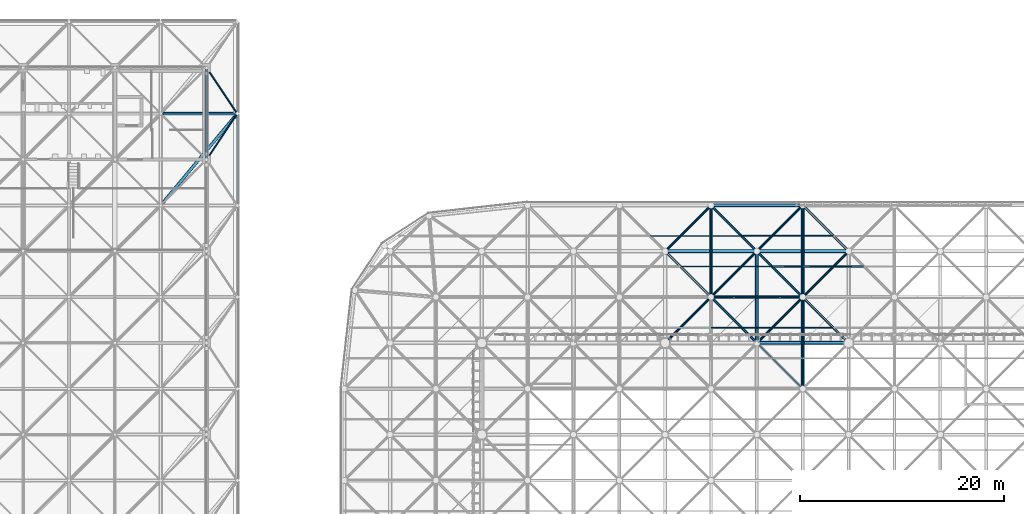
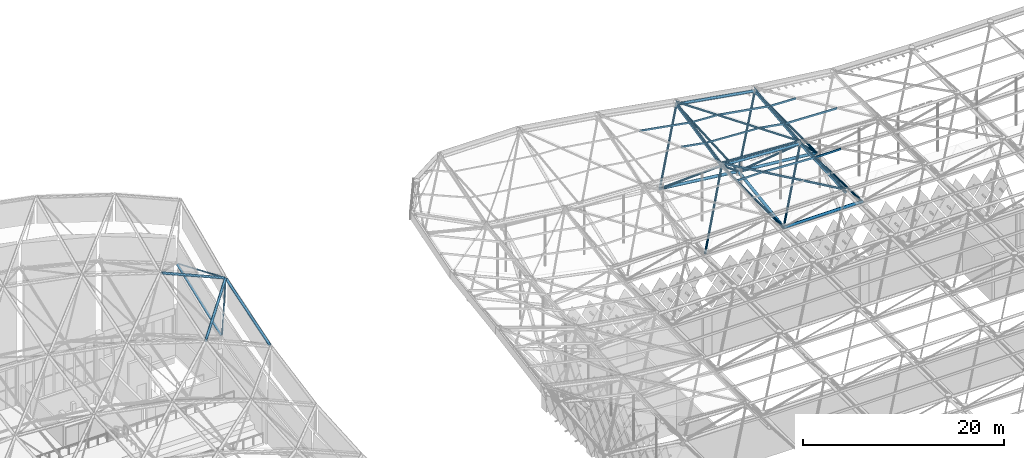
# One storey, part 148 of 437: 44 members.
"""IFC4 building model written with IfcOpenShell, lengths in metres."""

from ifc_helpers import new_model, si_unit, direction, frame, origin, origin_2d, place, context, subcontext, project, spatial, polyline, hollow_circle, outline, extrude, material, material_profile, profile_set, type_object, element, save


model = new_model("IFC4")

# Units and contexts
model_context = context("Model", 3, precision=1e-05, world=origin(), true_north=direction((0.0, 1.0)))
body_context = subcontext(model_context, "Body", "Model", "MODEL_VIEW")
ifc_project = project(units=[si_unit("LENGTHUNIT", "METRE"), si_unit("AREAUNIT", "SQUARE_METRE"), si_unit("VOLUMEUNIT", "CUBIC_METRE"), si_unit("PLANEANGLEUNIT", "RADIAN"), si_unit("MASSUNIT", "GRAM", prefix="KILO")], contexts=[model_context])

# Site, building, storey
site_placement = place(None, origin())
site = spatial("IfcSite", under=ifc_project, at=site_placement, CompositionType="ELEMENT")
building_placement = place(site_placement, origin())
building = spatial("IfcBuilding", under=site, at=building_placement, Name="Opaline Strait Convention Centre", CompositionType="ELEMENT")
storey_placement = place(building_placement, frame((0.0, 0.0, 11.5)))
storey = spatial("IfcBuildingStorey", under=building, at=storey_placement, Name="L02", CompositionType="ELEMENT", Elevation=11.5)

# Members
ifc_material = material(Name="Steel Q355B", Category="steel")
ifc_material_profile_1 = material_profile(ifc_material, outline(polyline([(-0.03759765625, -0.125), (0.03759765625, -0.125), (0.03759765625, -0.10498046875), (0.034912109375, -0.10498046875), (0.034912109375, -0.12255859375), (-0.034912109375, -0.12255859375), (-0.034912109375, 0.12255859375), (0.034912109375, 0.12255859375), (0.034912109375, 0.10498046875), (0.03759765625, 0.10498046875), (0.03759765625, 0.125), (-0.03759765625, 0.125), (-0.03759765625, -0.125)])), Name="C 250x75x20x2.5")
ifc_profile_set_1 = profile_set([ifc_material_profile_1], Name="Steel Q355B")
member_type_1 = type_object("IfcMemberType", Name="Roof purlin C 250x75x20x2.5", PredefinedType="PURLIN", material=ifc_profile_set_1)
member_1_placement = place(storey_placement, frame((130.5, 148.5, 18.254638671875), z_axis=(-0.705385748856, 0.705385748856, 0.069727258812), x_axis=(-0.706758384602, -0.707423051329, 0.006724004996)))
element("IfcMember", 1, at=member_1_placement, inside=storey, type_object=member_type_1, Name="EXB-RF-F-4-12", PredefinedType="PURLIN", context=body_context, shape_type="SweptSolid", body=[
    extrude(outline(polyline([(-0.03759765625, -0.125), (0.03759765625, -0.125), (0.03759765625, -0.10498046875), (0.034912109375, -0.10498046875), (0.034912109375, -0.12255859375), (-0.034912109375, -0.12255859375), (-0.034912109375, 0.12255859375), (0.034912109375, 0.12255859375), (0.034912109375, 0.10498046875), (0.03759765625, 0.10498046875), (0.03759765625, 0.125), (-0.03759765625, 0.125), (-0.03759765625, -0.125)])), origin(), (0.0, 0.0, 1.0), 12.759033203125),
])
member_2_placement = place(storey_placement, frame((130.45361328125, 148.449951171875, 18.257568359375), z_axis=(0.0, 0.999005016003, 0.044597959613), x_axis=(-0.998536953469, -0.002411571545, 0.054019782307)))
element("IfcMember", 2, at=member_2_placement, inside=storey, type_object=member_type_1, Name="EXB-RF-E-4-12a", PredefinedType="PURLIN", context=body_context, shape_type="SweptSolid", body=[
    extrude(outline(polyline([(-0.03759765625, -0.125), (0.03759765625, -0.125), (0.03759765625, -0.10498046875), (0.034912109375, -0.10498046875), (0.034912109375, -0.12255859375), (-0.034912109375, -0.12255859375), (-0.034912109375, 0.12255859375), (0.034912109375, 0.12255859375), (0.034912109375, 0.10498046875), (0.03759765625, 0.10498046875), (0.03759765625, 0.125), (-0.03759765625, 0.125), (-0.03759765625, -0.125)])), origin(), (0.0, 0.0, 1.0), 9.109130859375),
])
member_3_placement = place(storey_placement, frame((124.550048828125, 154.5, 18.84765625), z_axis=(0.998534214741, 0.0, -0.054124135023), x_axis=(0.002414276433, 0.999004644434, 0.044540898827)))
element("IfcMember", 3, at=member_3_placement, inside=storey, type_object=member_type_1, Name="EXB-RF-P-4-12-1a", PredefinedType="PURLIN", context=body_context, shape_type="SweptSolid", body=[
    extrude(outline(polyline([(-0.03759765625, -0.125), (0.03759765625, -0.125), (0.03759765625, -0.10498046875), (0.034912109375, -0.10498046875), (0.034912109375, -0.12255859375), (-0.034912109375, -0.12255859375), (-0.034912109375, 0.12255859375), (0.034912109375, 0.12255859375), (0.034912109375, 0.10498046875), (0.03759765625, 0.10498046875), (0.03759765625, 0.125), (-0.03759765625, 0.125), (-0.03759765625, -0.125)])), origin(), (0.0, 0.0, 1.0), 5.87744140625),
])
for number, where, z_axis, x_axis, name in (
    (4, (121.5, 154.5, 18.850341796875), (1.0, 0.0, 0.0), (0.0, 0.995149078082, 0.098378414266), "EXB-RF-P-4-12-1b"),
    (5, (130.5, 154.5, 18.52490234375), (1.0, 0.0, 0.0), (0.0, 0.999004644434, 0.044606282058), "EXB-RF-P-5-12-1b"),
):
    element("IfcMember", number, at=place(storey_placement, frame(where, z_axis=z_axis, x_axis=x_axis)), inside=storey, type_object=member_type_1, Name=name, PredefinedType="PURLIN", context=body_context, shape_type="SweptSolid", body=[
        extrude(outline(polyline([(-0.03759765625, -0.125), (0.03759765625, -0.125), (0.03759765625, -0.10498046875), (0.034912109375, -0.10498046875), (0.034912109375, -0.12255859375), (-0.034912109375, -0.12255859375), (-0.034912109375, 0.12255859375), (0.034912109375, 0.12255859375), (0.034912109375, 0.10498046875), (0.03759765625, 0.10498046875), (0.03759765625, 0.125), (-0.03759765625, 0.125), (-0.03759765625, -0.125)])), origin(), (0.0, 0.0, 1.0), 2.949951171875),
    ])
member_4_placement = place(storey_placement, frame((121.439697265625, 157.449951171875, 19.149169921875), z_axis=(0.0, 0.976700958406, 0.214604841159), x_axis=(-0.985529741381, -0.036376076933, 0.165553344517)))
element("IfcMember", 6, at=member_4_placement, inside=storey, type_object=member_type_1, Name="EXB-RF-E-3-13a", PredefinedType="PURLIN", context=body_context, shape_type="SweptSolid", body=[
    extrude(outline(polyline([(-0.03759765625, -0.125), (0.03759765625, -0.125), (0.03759765625, -0.10498046875), (0.034912109375, -0.10498046875), (0.034912109375, -0.12255859375), (-0.034912109375, -0.12255859375), (-0.034912109375, 0.12255859375), (0.034912109375, 0.12255859375), (0.034912109375, 0.10498046875), (0.03759765625, 0.10498046875), (0.03759765625, 0.125), (-0.03759765625, 0.125), (-0.03759765625, -0.125)])), origin(), (0.0, 0.0, 1.0), 9.317138671875),
])
member_5_placement = place(storey_placement, frame((118.550048828125, 160.5, 20.328125), z_axis=(0.984838613321, 0.0, -0.173473069127), x_axis=(0.037227435225, 0.976701876974, 0.211347016969)))
element("IfcMember", 7, at=member_5_placement, inside=storey, type_object=member_type_1, Name="EXB-RF-P-3-13-0a", PredefinedType="PURLIN", context=body_context, shape_type="SweptSolid", body=[
    extrude(outline(polyline([(-0.03759765625, -0.125), (0.03759765625, -0.125), (0.03759765625, -0.10498046875), (0.034912109375, -0.10498046875), (0.034912109375, -0.12255859375), (-0.034912109375, -0.12255859375), (-0.034912109375, 0.12255859375), (0.034912109375, 0.12255859375), (0.034912109375, 0.10498046875), (0.03759765625, 0.10498046875), (0.03759765625, 0.125), (-0.03759765625, 0.125), (-0.03759765625, -0.125)])), origin(), (0.0, 0.0, 1.0), 2.899169921875),
])
member_6_placement = place(storey_placement, frame((115.550048828125, 163.5, 21.515625), z_axis=(0.984841792486, 0.0, -0.17345501945), x_axis=(0.037223561752, 0.976701876974, 0.21134769922)))
element("IfcMember", 8, at=member_6_placement, inside=storey, type_object=member_type_1, Name="EXB-RF-P-3-13-1a", PredefinedType="PURLIN", context=body_context, shape_type="SweptSolid", body=[
    extrude(outline(polyline([(-0.03759765625, -0.125), (0.03759765625, -0.125), (0.03759765625, -0.10498046875), (0.034912109375, -0.10498046875), (0.034912109375, -0.12255859375), (-0.034912109375, -0.12255859375), (-0.034912109375, 0.12255859375), (0.034912109375, 0.12255859375), (0.034912109375, 0.10498046875), (0.03759765625, 0.10498046875), (0.03759765625, 0.125), (-0.03759765625, 0.125), (-0.03759765625, -0.125)])), origin(), (0.0, 0.0, 1.0), 5.9453125),
])
member_7_placement = place(storey_placement, frame((130.5, 157.5, 18.656494140625), z_axis=(-0.694204223982, 0.694204223982, 0.190160434401), x_axis=(-0.717833830455, -0.687135763969, -0.112067094763)))
element("IfcMember", 9, at=member_7_placement, inside=storey, type_object=member_type_1, Name="EXB-RF-F-4-13", PredefinedType="PURLIN", context=body_context, shape_type="SweptSolid", body=[
    extrude(outline(polyline([(-0.03759765625, -0.125), (0.03759765625, -0.125), (0.03759765625, -0.10498046875), (0.034912109375, -0.10498046875), (0.034912109375, -0.12255859375), (-0.034912109375, -0.12255859375), (-0.034912109375, 0.12255859375), (0.034912109375, 0.12255859375), (0.034912109375, 0.10498046875), (0.03759765625, 0.10498046875), (0.03759765625, 0.125), (-0.03759765625, 0.125), (-0.03759765625, -0.125)])), origin(), (0.0, 0.0, 1.0), 12.964599609375),
])
member_8_placement = place(storey_placement, frame((130.43994140625, 157.449951171875, 18.665771484375), z_axis=(0.0, 0.994612105595, 0.10366657805), x_axis=(-0.986051866452, -0.017254091808, 0.165541574785)))
element("IfcMember", 10, at=member_8_placement, inside=storey, type_object=member_type_1, Name="EXB-RF-E-4-13a", PredefinedType="PURLIN", context=body_context, shape_type="SweptSolid", body=[
    extrude(outline(polyline([(-0.03759765625, -0.125), (0.03759765625, -0.125), (0.03759765625, -0.10498046875), (0.034912109375, -0.10498046875), (0.034912109375, -0.12255859375), (-0.034912109375, -0.12255859375), (-0.034912109375, 0.12255859375), (0.034912109375, 0.12255859375), (0.034912109375, 0.10498046875), (0.03759765625, 0.10498046875), (0.03759765625, 0.125), (-0.03759765625, 0.125), (-0.03759765625, -0.125)])), origin(), (0.0, 0.0, 1.0), 9.1494140625),
])
member_9_placement = place(storey_placement, frame((127.550048828125, 160.5, 19.47412109375), z_axis=(0.985902048342, 0.0, -0.167323492301), x_axis=(0.017344553021, 0.994612915883, 0.10219742677)))
element("IfcMember", 11, at=member_9_placement, inside=storey, type_object=member_type_1, Name="EXB-RF-P-4-13-0a", PredefinedType="PURLIN", context=body_context, shape_type="SweptSolid", body=[
    extrude(outline(polyline([(-0.03759765625, -0.125), (0.03759765625, -0.125), (0.03759765625, -0.10498046875), (0.034912109375, -0.10498046875), (0.034912109375, -0.12255859375), (-0.034912109375, -0.12255859375), (-0.034912109375, 0.12255859375), (0.034912109375, 0.12255859375), (0.034912109375, 0.10498046875), (0.03759765625, 0.10498046875), (0.03759765625, 0.125), (-0.03759765625, 0.125), (-0.03759765625, -0.125)])), origin(), (0.0, 0.0, 1.0), 2.896240234375),
])
member_10_placement = place(storey_placement, frame((124.550048828125, 163.5, 20.2958984375), z_axis=(0.985905248574, 0.0, -0.167304634827), x_axis=(0.017342598278, 0.994612915883, 0.102197758502)))
element("IfcMember", 12, at=member_10_placement, inside=storey, type_object=member_type_1, Name="EXB-RF-P-4-13-1a", PredefinedType="PURLIN", context=body_context, shape_type="SweptSolid", body=[
    extrude(outline(polyline([(-0.03759765625, -0.125), (0.03759765625, -0.125), (0.03759765625, -0.10498046875), (0.034912109375, -0.10498046875), (0.034912109375, -0.12255859375), (-0.034912109375, -0.12255859375), (-0.034912109375, 0.12255859375), (0.034912109375, 0.12255859375), (0.034912109375, 0.10498046875), (0.03759765625, 0.10498046875), (0.03759765625, 0.125), (-0.03759765625, 0.125), (-0.03759765625, -0.125)])), origin(), (0.0, 0.0, 1.0), 5.939208984375),
])
member_11_placement = place(storey_placement, frame((130.550048828125, 157.565673828125, 18.671630859375), z_axis=(-0.998533323421, 0.0, 0.054140576451), x_axis=(-0.011602359597, -0.976767751484, -0.213986319453)))
element("IfcMember", 13, at=member_11_placement, inside=storey, type_object=member_type_1, Name="EXB-RF-E-4-13b", PredefinedType="PURLIN", context=body_context, shape_type="SweptSolid", body=[
    extrude(outline(polyline([(-0.03759765625, -0.125), (0.03759765625, -0.125), (0.03759765625, -0.10498046875), (0.034912109375, -0.10498046875), (0.034912109375, -0.12255859375), (-0.034912109375, -0.12255859375), (-0.034912109375, 0.12255859375), (0.034912109375, 0.12255859375), (0.034912109375, 0.10498046875), (0.03759765625, 0.10498046875), (0.03759765625, 0.125), (-0.03759765625, 0.125), (-0.03759765625, -0.125)])), origin(), (0.0, 0.0, 1.0), 9.113525390625),
])
member_12_placement = place(storey_placement, frame((121.5, 160.5, 19.806884765625), z_axis=(0.998534204977, 0.0, -0.05412431516), x_axis=(0.011615113786, 0.976701876974, 0.214286099985)))
element("IfcMember", 14, at=member_12_placement, inside=storey, type_object=member_type_1, Name="EXB-RF-P-4-13-0b", PredefinedType="PURLIN", context=body_context, shape_type="SweptSolid", body=[
    extrude(outline(polyline([(-0.03759765625, -0.125), (0.03759765625, -0.125), (0.03759765625, -0.10498046875), (0.034912109375, -0.10498046875), (0.034912109375, -0.12255859375), (-0.034912109375, -0.12255859375), (-0.034912109375, 0.12255859375), (0.034912109375, 0.12255859375), (0.034912109375, 0.10498046875), (0.03759765625, 0.10498046875), (0.03759765625, 0.125), (-0.03759765625, 0.125), (-0.03759765625, -0.125)])), origin(), (0.0, 0.0, 1.0), 5.958740234375),
])
member_13_placement = place(storey_placement, frame((121.5, 163.5, 20.466064453125), z_axis=(0.998533955365, 0.0, -0.054128920033), x_axis=(0.011616101995, 0.976701876974, 0.214286046418)))
element("IfcMember", 15, at=member_13_placement, inside=storey, type_object=member_type_1, Name="EXB-RF-P-4-13-1b", PredefinedType="PURLIN", context=body_context, shape_type="SweptSolid", body=[
    extrude(outline(polyline([(-0.03759765625, -0.125), (0.03759765625, -0.125), (0.03759765625, -0.10498046875), (0.034912109375, -0.10498046875), (0.034912109375, -0.12255859375), (-0.034912109375, -0.12255859375), (-0.034912109375, 0.12255859375), (0.034912109375, 0.12255859375), (0.034912109375, 0.10498046875), (0.03759765625, 0.10498046875), (0.03759765625, 0.125), (-0.03759765625, 0.125), (-0.03759765625, -0.125)])), origin(), (0.0, 0.0, 1.0), 2.954345703125),
])
member_14_placement = place(storey_placement, frame((130.5, 160.5, 18.971923828125), z_axis=(0.999302080681, 0.0, -0.037354404641), x_axis=(0.003872112893, 0.994612915883, 0.10358645809)))
element("IfcMember", 16, at=member_14_placement, inside=storey, type_object=member_type_1, Name="EXB-RF-P-5-13-0b", PredefinedType="PURLIN", context=body_context, shape_type="SweptSolid", body=[
    extrude(outline(polyline([(-0.03759765625, -0.125), (0.03759765625, -0.125), (0.03759765625, -0.10498046875), (0.034912109375, -0.10498046875), (0.034912109375, -0.12255859375), (-0.034912109375, -0.12255859375), (-0.034912109375, 0.12255859375), (0.034912109375, 0.12255859375), (0.034912109375, 0.10498046875), (0.03759765625, 0.10498046875), (0.03759765625, 0.125), (-0.03759765625, 0.125), (-0.03759765625, -0.125)])), origin(), (0.0, 0.0, 1.0), 5.9541015625),
])
member_15_placement = place(storey_placement, frame((130.5, 163.5, 19.284423828125), z_axis=(0.999304142932, 0.0, -0.037299194609), x_axis=(0.003866389887, 0.994612915883, 0.10358667186)))
element("IfcMember", 17, at=member_15_placement, inside=storey, type_object=member_type_1, Name="EXB-RF-P-5-13-1b", PredefinedType="PURLIN", context=body_context, shape_type="SweptSolid", body=[
    extrude(outline(polyline([(-0.03759765625, -0.125), (0.03759765625, -0.125), (0.03759765625, -0.10498046875), (0.034912109375, -0.10498046875), (0.034912109375, -0.12255859375), (-0.034912109375, -0.12255859375), (-0.034912109375, 0.12255859375), (0.034912109375, 0.12255859375), (0.034912109375, 0.10498046875), (0.03759765625, 0.10498046875), (0.03759765625, 0.125), (-0.03759765625, 0.125), (-0.03759765625, -0.125)])), origin(), (0.0, 0.0, 1.0), 2.951904296875),
])
ifc_material_profile_2 = material_profile(ifc_material, hollow_circle(Radius=0.136474609375, WallThickness=0.011962890625, at=origin_2d()), Name="CHS 273x12")
ifc_profile_set_2 = profile_set([ifc_material_profile_2], Name="Steel Q355B")
member_type_2 = type_object("IfcMemberType", Name="Shell truss bottom chord CHS 273x12", PredefinedType="CHORD", material=ifc_profile_set_2)
member_16_placement = place(storey_placement, frame((72.0, 171.14990234375, 7.323486328125), z_axis=(0.0, 0.934484411572, 0.356004051282), x_axis=(-1.0, 0.0, 0.0)))
element("IfcMember", 18, at=member_16_placement, inside=storey, type_object=member_type_2, Name="PBC1 bottom chord Y8-7", PredefinedType="CHORD", context=body_context, shape_type="SweptSolid", body=[
    extrude(hollow_circle(Radius=0.136474609375, WallThickness=0.011962890625, at=origin_2d()), origin(), (0.0, 0.0, 1.0), 9.31005859375),
])
ifc_material_profile_3 = material_profile(ifc_material, hollow_circle(Radius=0.1494140625, WallThickness=0.01611328125, at=origin_2d()), Name="CHS 299x16")
ifc_profile_set_3 = profile_set([ifc_material_profile_3], Name="Steel Q355B")
member_type_3 = type_object("IfcMemberType", Name="Shell truss top chord CHS 299x16", PredefinedType="CHORD", material=ifc_profile_set_3)
member_17_placement = place(storey_placement, frame((67.64990234375, 175.5, 13.77978515625), z_axis=(0.917383800951, 0.0, -0.398003720777), x_axis=(0.0, 1.0, 0.0)))
element("IfcMember", 19, at=member_17_placement, inside=storey, type_object=member_type_3, Name="PTC1 top chord X8-8", PredefinedType="CHORD", context=body_context, shape_type="SweptSolid", body=[
    extrude(hollow_circle(Radius=0.1494140625, WallThickness=0.01611328125, at=origin_2d()), origin(), (0.0, 0.0, 1.0), 7.8486328125),
])
member_18_placement = place(storey_placement, frame((75.0, 166.64990234375, 7.781494140625), z_axis=(0.0, 0.95312438958, 0.302578746754), x_axis=(-1.0, 0.0, 0.0)))
element("IfcMember", 20, at=member_18_placement, inside=storey, type_object=member_type_3, Name="PTC1 top chord Y9-7", PredefinedType="CHORD", context=body_context, shape_type="SweptSolid", body=[
    extrude(hollow_circle(Radius=0.1494140625, WallThickness=0.01611328125, at=origin_2d()), origin(), (0.0, 0.0, 1.0), 9.128173828125),
])
member_19_placement = place(storey_placement, frame((67.595947265625, 166.615234375, 10.98291015625), z_axis=(0.639825777297, 0.767773833116, -0.033857287073), x_axis=(-0.768214267482, 0.640192814109, 0.0)))
element("IfcMember", 21, at=member_19_placement, inside=storey, type_object=member_type_3, Name="PTC1 top chord D8-7", PredefinedType="CHORD", context=body_context, shape_type="SweptSolid", body=[
    extrude(hollow_circle(Radius=0.1494140625, WallThickness=0.01611328125, at=origin_2d()), origin(), (0.0, 0.0, 1.0), 11.422119140625),
])
ifc_material_profile_4 = material_profile(ifc_material, hollow_circle(Radius=0.083984375, WallThickness=0.010009765625, at=origin_2d()), Name="CHS 168x10")
ifc_profile_set_4 = profile_set([ifc_material_profile_4], Name="Steel Q355B")
member_type_4 = type_object("IfcMemberType", Name="Shell truss web CHS 168x10", PredefinedType="BRACE", material=ifc_profile_set_4)
member_20_placement = place(storey_placement, frame((72.083251953125, 171.124755859375, 7.358642578125), z_axis=(0.472539463346, 0.70884991012, 0.523677630325), x_axis=(-0.832064999387, 0.554678138018, 0.0)))
element("IfcMember", 22, at=member_20_placement, inside=storey, type_object=member_type_4, Name="PWB1 web 8-7bd", PredefinedType="BRACE", context=body_context, shape_type="SweptSolid", body=[
    extrude(hollow_circle(Radius=0.083984375, WallThickness=0.010009765625, at=origin_2d()), origin(), (0.0, 0.0, 1.0), 5.996337890625),
])
member_21_placement = place(storey_placement, frame((72.083251953125, 179.875244140625, 10.692138671875), z_axis=(0.5545757946, -0.831911475443, -0.019208984097), x_axis=(0.832064999387, 0.554678138018, 0.0)))
element("IfcMember", 23, at=member_21_placement, inside=storey, type_object=member_type_4, Name="PWB1 web 8-8bc", PredefinedType="BRACE", context=body_context, shape_type="SweptSolid", body=[
    extrude(hollow_circle(Radius=0.083984375, WallThickness=0.010009765625, at=origin_2d()), origin(), (0.0, 0.0, 1.0), 5.109375),
])
ifc_material_profile_5 = material_profile(ifc_material, hollow_circle(Radius=0.175537109375, WallThickness=0.01611328125, at=origin_2d()), Name="CHS 351x16")
ifc_profile_set_5 = profile_set([ifc_material_profile_5], Name="Steel Q355B")
member_type_5 = type_object("IfcMemberType", Name="Space frame bottom chord CHS 351x16", PredefinedType="CHORD", material=ifc_profile_set_5)
member_22_placement = place(storey_placement, frame((125.949951171875, 153.0, 12.5), z_axis=(1.0, 0.0, 0.0), x_axis=(0.0, 1.0, 0.0)))
element("IfcMember", 24, at=member_22_placement, inside=storey, type_object=member_type_5, Name="EXB-RF-BX-4-12", PredefinedType="CHORD", context=body_context, shape_type="SweptSolid", body=[
    extrude(hollow_circle(Radius=0.175537109375, WallThickness=0.01611328125, at=origin_2d()), origin(), (0.0, 0.0, 1.0), 9.10009765625),
])
member_23_placement = place(storey_placement, frame((116.950439453125, 162.0, 14.916748046875), z_axis=(0.993180584954, 0.0, -0.116586129841), x_axis=(0.0, 1.0, 0.0)))
element("IfcMember", 25, at=member_23_placement, inside=storey, type_object=member_type_5, Name="EXB-RF-BX-3-13", PredefinedType="CHORD", context=body_context, shape_type="SweptSolid", body=[
    extrude(hollow_circle(Radius=0.175537109375, WallThickness=0.01611328125, at=origin_2d()), origin(), (0.0, 0.0, 1.0), 9.16162109375),
])
member_24_placement = place(storey_placement, frame((125.9501953125, 162.0, 13.859375), z_axis=(0.99509044308, 0.0, -0.098969743306), x_axis=(0.0, 1.0, 0.0)))
element("IfcMember", 26, at=member_24_placement, inside=storey, type_object=member_type_5, Name="EXB-RF-BX-4-13", PredefinedType="CHORD", context=body_context, shape_type="SweptSolid", body=[
    extrude(hollow_circle(Radius=0.175537109375, WallThickness=0.01611328125, at=origin_2d()), origin(), (0.0, 0.0, 1.0), 9.14453125),
])
member_25_placement = place(storey_placement, frame((126.0, 152.950439453125, 12.49267578125), z_axis=(0.0, 0.988864228986, 0.148820484582), x_axis=(-1.0, 0.0, 0.0)))
element("IfcMember", 27, at=member_25_placement, inside=storey, type_object=member_type_5, Name="EXB-RF-BY-4-12", PredefinedType="CHORD", context=body_context, shape_type="SweptSolid", body=[
    extrude(hollow_circle(Radius=0.175537109375, WallThickness=0.01611328125, at=origin_2d()), origin(), (0.0, 0.0, 1.0), 9.20166015625),
])
ifc_material_profile_6 = material_profile(ifc_material, hollow_circle(Radius=0.16259765625, WallThickness=0.013916015625, at=origin_2d()), Name="CHS 325x14")
ifc_profile_set_6 = profile_set([ifc_material_profile_6], Name="Steel Q355B")
member_type_6 = type_object("IfcMemberType", Name="Space frame top chord CHS 325x14", PredefinedType="CHORD", material=ifc_profile_set_6)
member_26_placement = place(storey_placement, frame((121.45068359375, 166.5, 20.84716796875), z_axis=(0.985901966255, 0.0, -0.167323975973), x_axis=(0.0, 1.0, 0.0)))
element("IfcMember", 28, at=member_26_placement, inside=storey, type_object=member_type_6, Name="EXB-RF-TX-4-14", PredefinedType="CHORD", context=body_context, shape_type="SweptSolid", body=[
    extrude(hollow_circle(Radius=0.16259765625, WallThickness=0.013916015625, at=origin_2d()), origin(), (0.0, 0.0, 1.0), 9.228759765625),
])
ifc_material_profile_7 = material_profile(ifc_material, hollow_circle(Radius=0.16259765625, WallThickness=0.02001953125, at=origin_2d()), Name="CHS 325x20")
ifc_profile_set_7 = profile_set([ifc_material_profile_7], Name="Steel Q355B")
member_type_7 = type_object("IfcMemberType", Name="Space frame top chord CHS 325x20", PredefinedType="CHORD", material=ifc_profile_set_7)
member_27_placement = place(storey_placement, frame((121.4501953125, 157.5, 18.864013671875), z_axis=(0.99853316636, 0.0, -0.054143473095), x_axis=(0.0, 1.0, 0.0)))
element("IfcMember", 29, at=member_27_placement, inside=storey, type_object=member_type_7, Name="EXB-RF-TX-4-13", PredefinedType="CHORD", context=body_context, shape_type="SweptSolid", body=[
    extrude(hollow_circle(Radius=0.16259765625, WallThickness=0.02001953125, at=origin_2d()), origin(), (0.0, 0.0, 1.0), 9.113037109375),
])
member_28_placement = place(storey_placement, frame((121.5, 157.451171875, 18.8505859375), z_axis=(0.0, 0.976705368416, 0.214584769515), x_axis=(-1.0, 0.0, 0.0)))
element("IfcMember", 30, at=member_28_placement, inside=storey, type_object=member_type_7, Name="EXB-RF-TY-4-13", PredefinedType="CHORD", context=body_context, shape_type="SweptSolid", body=[
    extrude(hollow_circle(Radius=0.16259765625, WallThickness=0.02001953125, at=origin_2d()), origin(), (0.0, 0.0, 1.0), 9.314697265625),
])
member_29_placement = place(storey_placement, frame((130.5, 148.449951171875, 17.96923828125), z_axis=(0.0, 0.999005016003, 0.044597959613), x_axis=(-1.0, 0.0, 0.0)))
element("IfcMember", 31, at=member_29_placement, inside=storey, type_object=member_type_7, Name="EXB-RF-TY-5-12", PredefinedType="CHORD", context=body_context, shape_type="SweptSolid", body=[
    extrude(hollow_circle(Radius=0.16259765625, WallThickness=0.02001953125, at=origin_2d()), origin(), (0.0, 0.0, 1.0), 9.109130859375),
])
member_30_placement = place(storey_placement, frame((130.5, 157.4501953125, 18.3681640625), z_axis=(0.0, 0.994614283282, 0.10364568245), x_axis=(-1.0, 0.0, 0.0)))
element("IfcMember", 32, at=member_30_placement, inside=storey, type_object=member_type_7, Name="EXB-RF-TY-5-13", PredefinedType="CHORD", context=body_context, shape_type="SweptSolid", body=[
    extrude(hollow_circle(Radius=0.16259765625, WallThickness=0.02001953125, at=origin_2d()), origin(), (0.0, 0.0, 1.0), 9.14892578125),
])
ifc_material_profile_8 = material_profile(ifc_material, hollow_circle(Radius=0.12255859375, WallThickness=0.011962890625, at=origin_2d()), Name="CHS 245x12")
ifc_profile_set_8 = profile_set([ifc_material_profile_8], Name="Steel Q355B")
member_type_8 = type_object("IfcMemberType", Name="Space frame web CHS 245x12", PredefinedType="BRACE", material=ifc_profile_set_8)
member_31_placement = place(storey_placement, frame((121.52490234375, 157.52490234375, 18.896484375), z_axis=(-0.50009756062, -0.50009756062, -0.706968782708), x_axis=(0.707106781187, -0.707106781187, 0.0)))
element("IfcMember", 33, at=member_31_placement, inside=storey, type_object=member_type_8, Name="EXB-RF-W-3-12-11", PredefinedType="BRACE", context=body_context, shape_type="SweptSolid", body=[
    extrude(hollow_circle(Radius=0.12255859375, WallThickness=0.011962890625, at=origin_2d()), origin(), (0.0, 0.0, 1.0), 9.097900390625),
])
member_32_placement = place(storey_placement, frame((121.530029296875, 157.469970703125, 18.8876953125), z_axis=(-0.600769193716, 0.600769193716, -0.527401888283), x_axis=(-0.707106781187, -0.707106781187, 0.0)))
element("IfcMember", 34, at=member_32_placement, inside=storey, type_object=member_type_8, Name="EXB-RF-W-3-13-10", PredefinedType="BRACE", context=body_context, shape_type="SweptSolid", body=[
    extrude(hollow_circle(Radius=0.12255859375, WallThickness=0.011962890625, at=origin_2d()), origin(), (0.0, 0.0, 1.0), 7.59033203125),
])
member_33_placement = place(storey_placement, frame((121.52587890625, 166.52587890625, 20.872802734375), z_axis=(-0.517411806028, -0.517411806028, -0.681593754347), x_axis=(0.707106781187, -0.707106781187, 0.0)))
element("IfcMember", 35, at=member_33_placement, inside=storey, type_object=member_type_8, Name="EXB-RF-W-3-13-11", PredefinedType="BRACE", context=body_context, shape_type="SweptSolid", body=[
    extrude(hollow_circle(Radius=0.12255859375, WallThickness=0.011962890625, at=origin_2d()), origin(), (0.0, 0.0, 1.0), 8.797119140625),
])
member_34_placement = place(storey_placement, frame((121.47509765625, 157.52490234375, 18.896484375), z_axis=(0.50009756062, -0.50009756062, -0.706968782708), x_axis=(0.707106781187, 0.707106781187, 0.0)))
element("IfcMember", 36, at=member_34_placement, inside=storey, type_object=member_type_8, Name="EXB-RF-W-4-12-01", PredefinedType="BRACE", context=body_context, shape_type="SweptSolid", body=[
    extrude(hollow_circle(Radius=0.12255859375, WallThickness=0.011962890625, at=origin_2d()), origin(), (0.0, 0.0, 1.0), 9.097900390625),
])
member_35_placement = place(storey_placement, frame((130.52587890625, 157.52587890625, 18.4072265625), z_axis=(-0.519617871627, -0.519617871627, -0.678228969429), x_axis=(0.707106781187, -0.707106781187, 0.0)))
element("IfcMember", 37, at=member_35_placement, inside=storey, type_object=member_type_8, Name="EXB-RF-W-4-12-11", PredefinedType="BRACE", context=body_context, shape_type="SweptSolid", body=[
    extrude(hollow_circle(Radius=0.12255859375, WallThickness=0.011962890625, at=origin_2d()), origin(), (0.0, 0.0, 1.0), 8.759765625),
])
member_36_placement = place(storey_placement, frame((121.47216796875, 157.47216796875, 18.89208984375), z_axis=(0.555738694164, 0.555738694164, -0.618311416374), x_axis=(-0.707106781187, 0.707106781187, 0.0)))
element("IfcMember", 38, at=member_36_placement, inside=storey, type_object=member_type_8, Name="EXB-RF-W-4-13-00", PredefinedType="BRACE", context=body_context, shape_type="SweptSolid", body=[
    extrude(hollow_circle(Radius=0.12255859375, WallThickness=0.011962890625, at=origin_2d()), origin(), (0.0, 0.0, 1.0), 8.197509765625),
])
member_37_placement = place(storey_placement, frame((121.47607421875, 166.52392578125, 20.875732421875), z_axis=(0.47626636673, -0.47626636673, -0.739148629062), x_axis=(0.707106781187, 0.707106781187, 0.0)))
element("IfcMember", 39, at=member_37_placement, inside=storey, type_object=member_type_8, Name="EXB-RF-W-4-13-01", PredefinedType="BRACE", context=body_context, shape_type="SweptSolid", body=[
    extrude(hollow_circle(Radius=0.12255859375, WallThickness=0.011962890625, at=origin_2d()), origin(), (0.0, 0.0, 1.0), 9.549072265625),
])
member_38_placement = place(storey_placement, frame((130.52880859375, 157.47119140625, 18.40234375), z_axis=(-0.576535854323, 0.576535854323, -0.578975662149), x_axis=(-0.707106781187, -0.707106781187, 0.0)))
element("IfcMember", 40, at=member_38_placement, inside=storey, type_object=member_type_8, Name="EXB-RF-W-4-13-10", PredefinedType="BRACE", context=body_context, shape_type="SweptSolid", body=[
    extrude(hollow_circle(Radius=0.12255859375, WallThickness=0.011962890625, at=origin_2d()), origin(), (0.0, 0.0, 1.0), 7.9052734375),
])
member_39_placement = place(storey_placement, frame((130.52685546875, 166.52685546875, 19.343994140625), z_axis=(-0.53679140387, -0.53679140387, -0.650930086464), x_axis=(0.707106781187, -0.707106781187, 0.0)))
element("IfcMember", 41, at=member_39_placement, inside=storey, type_object=member_type_8, Name="EXB-RF-W-4-13-11", PredefinedType="BRACE", context=body_context, shape_type="SweptSolid", body=[
    extrude(hollow_circle(Radius=0.12255859375, WallThickness=0.011962890625, at=origin_2d()), origin(), (0.0, 0.0, 1.0), 8.483154296875),
])
member_40_placement = place(storey_placement, frame((130.47412109375, 157.52587890625, 18.4072265625), z_axis=(0.519617871627, -0.519617871627, -0.678228969429), x_axis=(0.707106781187, 0.707106781187, 0.0)))
element("IfcMember", 42, at=member_40_placement, inside=storey, type_object=member_type_8, Name="EXB-RF-W-5-12-01", PredefinedType="BRACE", context=body_context, shape_type="SweptSolid", body=[
    extrude(hollow_circle(Radius=0.12255859375, WallThickness=0.011962890625, at=origin_2d()), origin(), (0.0, 0.0, 1.0), 8.759765625),
])
member_41_placement = place(storey_placement, frame((130.47314453125, 157.47314453125, 18.40576171875), z_axis=(0.538573162213, 0.538573162213, -0.647979859169), x_axis=(-0.707106781187, 0.707106781187, 0.0)))
element("IfcMember", 43, at=member_41_placement, inside=storey, type_object=member_type_8, Name="EXB-RF-W-5-13-00", PredefinedType="BRACE", context=body_context, shape_type="SweptSolid", body=[
    extrude(hollow_circle(Radius=0.12255859375, WallThickness=0.011962890625, at=origin_2d()), origin(), (0.0, 0.0, 1.0), 8.455078125),
])
member_42_placement = place(storey_placement, frame((130.47509765625, 166.52490234375, 19.3466796875), z_axis=(0.500458219713, -0.500458219713, -0.706458166237), x_axis=(0.707106781187, 0.707106781187, 0.0)))
element("IfcMember", 44, at=member_42_placement, inside=storey, type_object=member_type_8, Name="EXB-RF-W-5-13-01", PredefinedType="BRACE", context=body_context, shape_type="SweptSolid", body=[
    extrude(hollow_circle(Radius=0.12255859375, WallThickness=0.011962890625, at=origin_2d()), origin(), (0.0, 0.0, 1.0), 9.09130859375),
])

save(model, "model.ifc")
